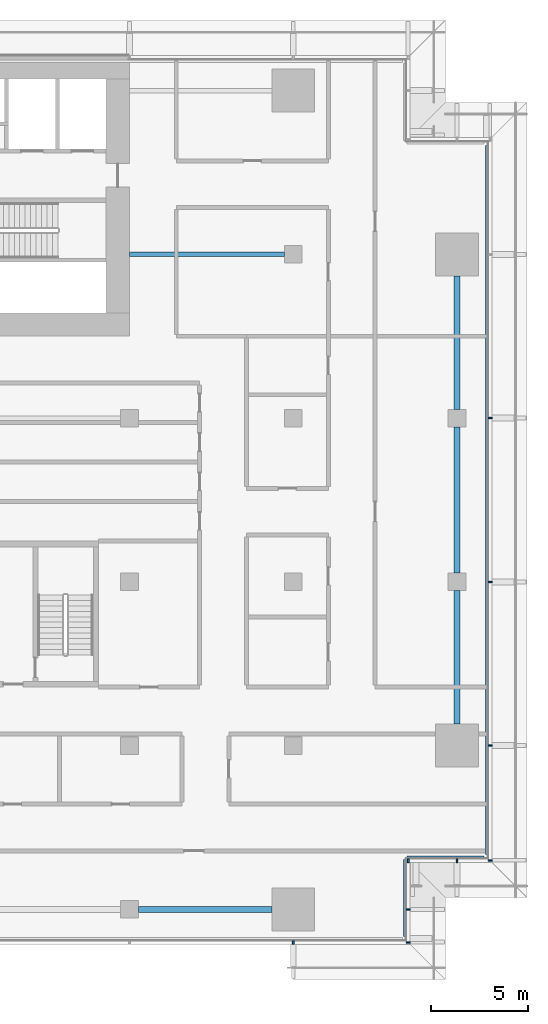
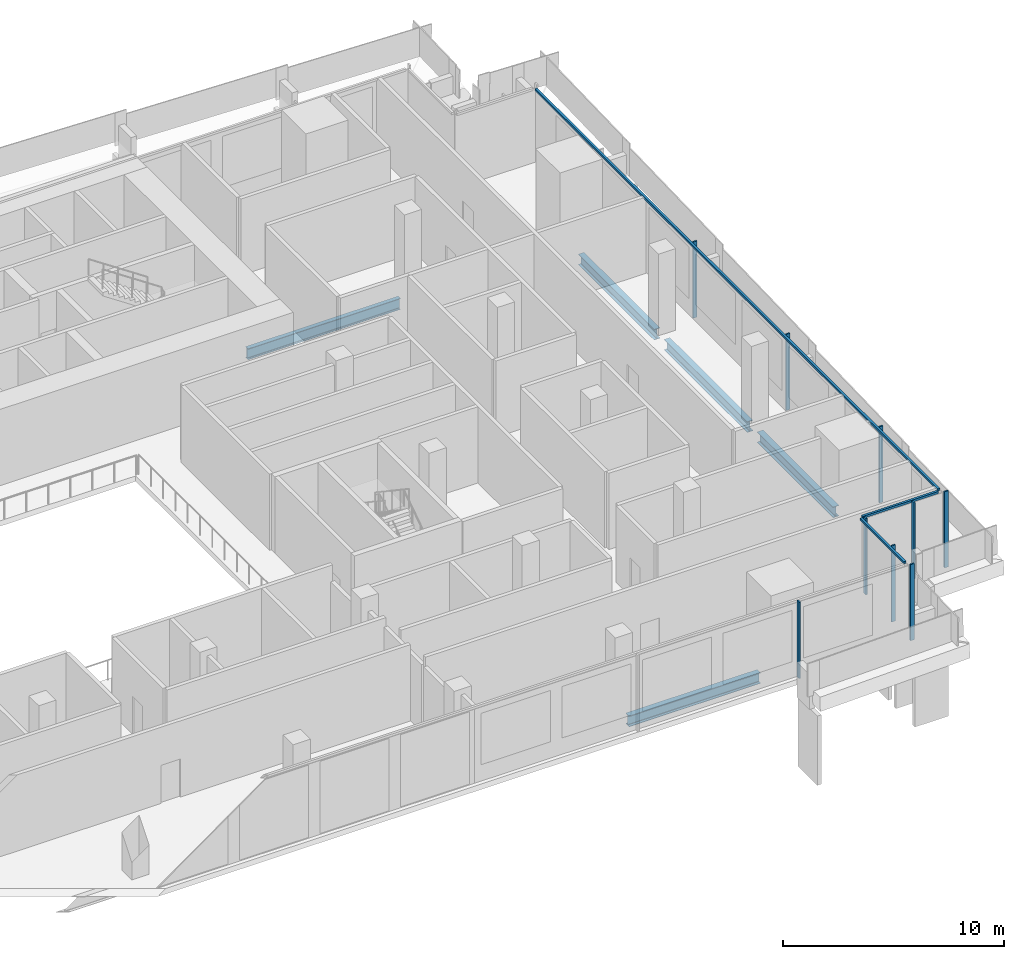
# One storey, part 9 of 23: 12 members, 5 beams, 4 elements without a shape of their own.
"""IFC4 building model written with IfcOpenShell, lengths in metres."""

from ifc_helpers import new_model, si_unit, direction, frame, origin, origin_2d, place, context, subcontext, project, spatial, rectangle, i_section, extrude, material, material_profile, profile_set, type_object, element, aggregate, save


model = new_model("IFC4")

# Units and contexts
model_context = context("Model", 3, precision=1e-05, world=origin(), true_north=direction((0.0, 1.0)))
body_context = subcontext(model_context, "Body", "Model", "MODEL_VIEW")
ifc_project = project(units=[si_unit("LENGTHUNIT", "METRE"), si_unit("AREAUNIT", "SQUARE_METRE"), si_unit("VOLUMEUNIT", "CUBIC_METRE"), si_unit("PLANEANGLEUNIT", "RADIAN"), si_unit("MASSUNIT", "GRAM", prefix="KILO")], contexts=[model_context])

# Site, building, storey
site_placement = place(None, origin())
site = spatial("IfcSite", under=ifc_project, at=site_placement, CompositionType="ELEMENT")
building_placement = place(site_placement, origin())
building = spatial("IfcBuilding", under=site, at=building_placement, Name="Saffron Gate Tower", CompositionType="ELEMENT")
storey_placement = place(building_placement, frame((0.0, 0.0, 23.699951171875)))
storey = spatial("IfcBuildingStorey", under=building, at=storey_placement, Name="L04", CompositionType="ELEMENT", Elevation=23.699951171875)

# Beams
ifc_material_1 = material(Name="Structural steel S355", Category="steel")
ifc_material_profile_1 = material_profile(ifc_material_1, i_section(OverallWidth=0.300048828125, OverallDepth=0.590087890625, WebThickness=0.012939453125, FlangeThickness=0.02490234375, FilletRadius=0.027099609375, at=origin_2d()))
ifc_profile_set_1 = profile_set([ifc_material_profile_1], Name="Structural steel S355")
beam_type_1 = type_object("IfcBeamType", Name="B14 HEA 600", PredefinedType="SPANDREL", material=ifc_profile_set_1)
for number, where, z_axis, x_axis, name in (
    (1, (109.050048828125, 31.800048828125, -0.594970703125), (1.0, 0.0, 0.0), (0.0, 1.0, 0.0), "B14 SPANDREL BEAM"),
    (2, (125.39990234375, 41.300048828125, -0.594970703125), (0.0, 1.0, 0.0), (-1.0, 0.0, 0.0), "B14 SPANDREL BEAM"),
):
    element("IfcBeam", number, at=place(storey_placement, frame(where, z_axis=z_axis, x_axis=x_axis)), inside=storey, type_object=beam_type_1, Name=name, PredefinedType="SPANDREL", context=body_context, shape_type="SweptSolid", body=[
        extrude(i_section(OverallWidth=0.300048828125, OverallDepth=0.590087890625, WebThickness=0.012939453125, FlangeThickness=0.02490234375, FilletRadius=0.027099609375, at=origin_2d()), origin(), (0.0, 0.0, 1.0), 6.849853515625),
    ])
beam_1_placement = place(storey_placement, frame((125.39990234375, 49.050048828125, -0.594970703125), z_axis=(0.0, 1.0, 0.0), x_axis=(-1.0, 0.0, 0.0)))
element("IfcBeam", 3, at=beam_1_placement, inside=storey, type_object=beam_type_1, Name="B14 SPANDREL BEAM", PredefinedType="SPANDREL", context=body_context, shape_type="SweptSolid", body=[
    extrude(i_section(OverallWidth=0.300048828125, OverallDepth=0.590087890625, WebThickness=0.012939453125, FlangeThickness=0.02490234375, FilletRadius=0.027099609375, at=origin_2d()), origin(), (0.0, 0.0, 1.0), 7.5),
])
beam_2_placement = place(storey_placement, frame((125.39990234375, 57.449951171875, -0.594970703125), z_axis=(0.0, 1.0, 0.0), x_axis=(-1.0, 0.0, 0.0)))
element("IfcBeam", 4, at=beam_2_placement, inside=storey, type_object=beam_type_1, Name="B14 SPANDREL BEAM", PredefinedType="SPANDREL", context=body_context, shape_type="SweptSolid", body=[
    extrude(i_section(OverallWidth=0.300048828125, OverallDepth=0.590087890625, WebThickness=0.012939453125, FlangeThickness=0.02490234375, FilletRadius=0.027099609375, at=origin_2d()), origin(), (0.0, 0.0, 1.0), 6.85009765625),
])
ifc_material_profile_2 = material_profile(ifc_material_1, i_section(OverallWidth=0.219970703125, OverallDepth=0.60009765625, WebThickness=0.011962890625, FlangeThickness=0.01904296875, FilletRadius=0.02392578125, at=origin_2d()))
ifc_profile_set_2 = profile_set([ifc_material_profile_2], Name="Structural steel S355")
beam_type_2 = type_object("IfcBeamType", Name="B15 IPE 600", PredefinedType="BEAM", material=ifc_profile_set_2)
beam_3_placement = place(storey_placement, frame((116.550048828125, 65.39990234375, -0.599853515625), z_axis=(-1.0, 0.0, 0.0), x_axis=(0.0, -1.0, 0.0)))
element("IfcBeam", 5, at=beam_3_placement, inside=storey, type_object=beam_type_2, Name="B15 CORE TIE BEAM", PredefinedType="BEAM", context=body_context, shape_type="SweptSolid", body=[
    extrude(i_section(OverallWidth=0.219970703125, OverallDepth=0.60009765625, WebThickness=0.011962890625, FlangeThickness=0.01904296875, FilletRadius=0.02392578125, at=origin_2d()), origin(), (0.0, 0.0, 1.0), 7.949951171875),
])

# Curtain wall, member
ifc_material_2 = material(Name="Aluminium, bronze anodised", Category="aluminium")
curtain_wall_type = type_object("IfcCurtainWallType", Name="CWS6 curtain wall tall storeys", PredefinedType="NOTDEFINED", material=ifc_material_2)
curtain_wall_1_placement = place(storey_placement, origin())
curtain_wall_1 = element("IfcCurtainWall", 6, at=curtain_wall_1_placement, inside=storey, type_object=curtain_wall_type, Name="CWS6 run 2", PredefinedType="NOTDEFINED")
ifc_material_profile_3 = material_profile(ifc_material_2, rectangle(XDim=0.1201171875, YDim=0.1201171875, at=origin_2d()))
ifc_profile_set_3 = profile_set([ifc_material_profile_3], Name="Aluminium, bronze anodised")
member_type_1 = type_object("IfcMemberType", Name="CWS6 head transom", PredefinedType="USERDEFINED", material=ifc_profile_set_3)
member_1_placement = place(storey_placement, frame((122.7119140625, 30.407958984375, 4.14013671875), z_axis=(0.0, 1.0, 0.0), x_axis=(-1.0, 0.0, 0.0)))
member_1 = element("IfcMember", 7, at=member_1_placement, type_object=member_type_1, Name="CWS6 head transom", ObjectType="TRANSOM", PredefinedType="USERDEFINED", context=body_context, shape_type="SweptSolid", body=[
    extrude(rectangle(XDim=0.1201171875, YDim=0.1201171875, at=origin_2d()), origin(), (0.0, 0.0, 1.0), 3.9599609375),
])

curtain_wall_2_placement = place(storey_placement, origin())
curtain_wall_2 = element("IfcCurtainWall", 8, at=curtain_wall_2_placement, inside=storey, type_object=curtain_wall_type, Name="CWS6 run 3", PredefinedType="NOTDEFINED")
member_2_placement = place(storey_placement, frame((122.83203125, 34.488037109375, 4.14013671875), z_axis=(1.0, 0.0, 0.0), x_axis=(0.0, 1.0, 0.0)))
member_2 = element("IfcMember", 9, at=member_2_placement, type_object=member_type_1, Name="CWS6 head transom", ObjectType="TRANSOM", PredefinedType="USERDEFINED", context=body_context, shape_type="SweptSolid", body=[
    extrude(rectangle(XDim=0.1201171875, YDim=0.1201171875, at=origin_2d()), origin(), (0.0, 0.0, 1.0), 3.9599609375),
])

curtain_wall_3_placement = place(storey_placement, origin())
curtain_wall_3 = element("IfcCurtainWall", 10, at=curtain_wall_3_placement, inside=storey, type_object=curtain_wall_type, Name="CWS6 run 4", PredefinedType="NOTDEFINED")
member_3_placement = place(storey_placement, frame((126.912109375, 34.60791015625, 4.14013671875), z_axis=(0.0, 1.0, 0.0), x_axis=(-1.0, 0.0, 0.0)))
member_3 = element("IfcMember", 11, at=member_3_placement, type_object=member_type_1, Name="CWS6 head transom", ObjectType="TRANSOM", PredefinedType="USERDEFINED", context=body_context, shape_type="SweptSolid", body=[
    extrude(rectangle(XDim=0.1201171875, YDim=0.1201171875, at=origin_2d()), origin(), (0.0, 0.0, 1.0), 36.384033203125),
])

curtain_wall_4_placement = place(storey_placement, origin())
curtain_wall_4 = element("IfcCurtainWall", 12, at=curtain_wall_4_placement, inside=storey, type_object=curtain_wall_type, Name="CWS6 run 1", PredefinedType="NOTDEFINED")
ifc_material_profile_4 = material_profile(ifc_material_2, rectangle(XDim=0.199951171875, YDim=0.080078125, at=origin_2d()))
ifc_profile_set_4 = profile_set([ifc_material_profile_4], Name="Aluminium, bronze anodised")
member_type_2 = type_object("IfcMemberType", Name="CWS6 mullion 80x200", PredefinedType="MULLION", material=ifc_profile_set_4)
member_4_placement = place(storey_placement, frame((117.0, 30.10009765625, 0.0), z_axis=(0.0, 0.0, 1.0), x_axis=(0.0, 1.0, 0.0)))
member_4 = element("IfcMember", 13, at=member_4_placement, type_object=member_type_2, Name="CWS6 mullion 9", PredefinedType="MULLION", context=body_context, shape_type="SweptSolid", body=[
    extrude(rectangle(XDim=0.199951171875, YDim=0.080078125, at=origin_2d()), origin(), (0.0, 0.0, 1.0), 4.199951171875),
])
aggregate(curtain_wall_4, [member_4])

# Member
member_5_placement = place(storey_placement, frame((122.89990234375, 30.10009765625, 0.0), z_axis=(0.0, 0.0, 1.0), x_axis=(-1.0, 0.0, 0.0)))
member_5 = element("IfcMember", 14, at=member_5_placement, type_object=member_type_2, Name="CWS6 mullion 1", PredefinedType="MULLION", context=body_context, shape_type="SweptSolid", body=[
    extrude(rectangle(XDim=0.199951171875, YDim=0.080078125, at=origin_2d()), origin(), (0.0, 0.0, 1.0), 4.199951171875),
])

member_6_placement = place(storey_placement, frame((122.89990234375, 31.800048828125, 0.0), z_axis=(0.0, 0.0, 1.0), x_axis=(-1.0, 0.0, 0.0)))
member_6 = element("IfcMember", 15, at=member_6_placement, type_object=member_type_2, Name="CWS6 mullion 2", PredefinedType="MULLION", context=body_context, shape_type="SweptSolid", body=[
    extrude(rectangle(XDim=0.199951171875, YDim=0.080078125, at=origin_2d()), origin(), (0.0, 0.0, 1.0), 4.199951171875),
])

aggregate(curtain_wall_1, [member_5, member_6, member_1])

member_7_placement = place(storey_placement, frame((122.89990234375, 34.300048828125, 0.0), z_axis=(0.0, 0.0, 1.0), x_axis=(0.0, 1.0, 0.0)))
member_7 = element("IfcMember", 16, at=member_7_placement, type_object=member_type_2, Name="CWS6 mullion 1", PredefinedType="MULLION", context=body_context, shape_type="SweptSolid", body=[
    extrude(rectangle(XDim=0.199951171875, YDim=0.080078125, at=origin_2d()), origin(), (0.0, 0.0, 1.0), 4.199951171875),
])

member_8_placement = place(storey_placement, frame((125.39990234375, 34.300048828125, 0.0), z_axis=(0.0, 0.0, 1.0), x_axis=(0.0, 1.0, 0.0)))
member_8 = element("IfcMember", 17, at=member_8_placement, type_object=member_type_2, Name="CWS6 mullion 2", PredefinedType="MULLION", context=body_context, shape_type="SweptSolid", body=[
    extrude(rectangle(XDim=0.199951171875, YDim=0.080078125, at=origin_2d()), origin(), (0.0, 0.0, 1.0), 4.199951171875),
])

aggregate(curtain_wall_2, [member_7, member_8, member_2])

member_9_placement = place(storey_placement, frame((127.10009765625, 34.300048828125, 0.0), z_axis=(0.0, 0.0, 1.0), x_axis=(-1.0, 0.0, 0.0)))
member_9 = element("IfcMember", 18, at=member_9_placement, type_object=member_type_2, Name="CWS6 mullion 1", PredefinedType="MULLION", context=body_context, shape_type="SweptSolid", body=[
    extrude(rectangle(XDim=0.199951171875, YDim=0.080078125, at=origin_2d()), origin(), (0.0, 0.0, 1.0), 4.199951171875),
])

member_10_placement = place(storey_placement, frame((127.10009765625, 40.199951171875, 0.0), z_axis=(0.0, 0.0, 1.0), x_axis=(-1.0, 0.0, 0.0)))
member_10 = element("IfcMember", 19, at=member_10_placement, type_object=member_type_2, Name="CWS6 mullion 2", PredefinedType="MULLION", context=body_context, shape_type="SweptSolid", body=[
    extrude(rectangle(XDim=0.199951171875, YDim=0.080078125, at=origin_2d()), origin(), (0.0, 0.0, 1.0), 4.199951171875),
])

member_11_placement = place(storey_placement, frame((127.10009765625, 48.60009765625, 0.0), z_axis=(0.0, 0.0, 1.0), x_axis=(-1.0, 0.0, 0.0)))
member_11 = element("IfcMember", 20, at=member_11_placement, type_object=member_type_2, Name="CWS6 mullion 3", PredefinedType="MULLION", context=body_context, shape_type="SweptSolid", body=[
    extrude(rectangle(XDim=0.199951171875, YDim=0.080078125, at=origin_2d()), origin(), (0.0, 0.0, 1.0), 4.199951171875),
])

member_12_placement = place(storey_placement, frame((127.10009765625, 57.0, 0.0), z_axis=(0.0, 0.0, 1.0), x_axis=(-1.0, 0.0, 0.0)))
member_12 = element("IfcMember", 21, at=member_12_placement, type_object=member_type_2, Name="CWS6 mullion 4", PredefinedType="MULLION", context=body_context, shape_type="SweptSolid", body=[
    extrude(rectangle(XDim=0.199951171875, YDim=0.080078125, at=origin_2d()), origin(), (0.0, 0.0, 1.0), 4.199951171875),
])

aggregate(curtain_wall_3, [member_9, member_10, member_11, member_12, member_3])

save(model, "model.ifc")
